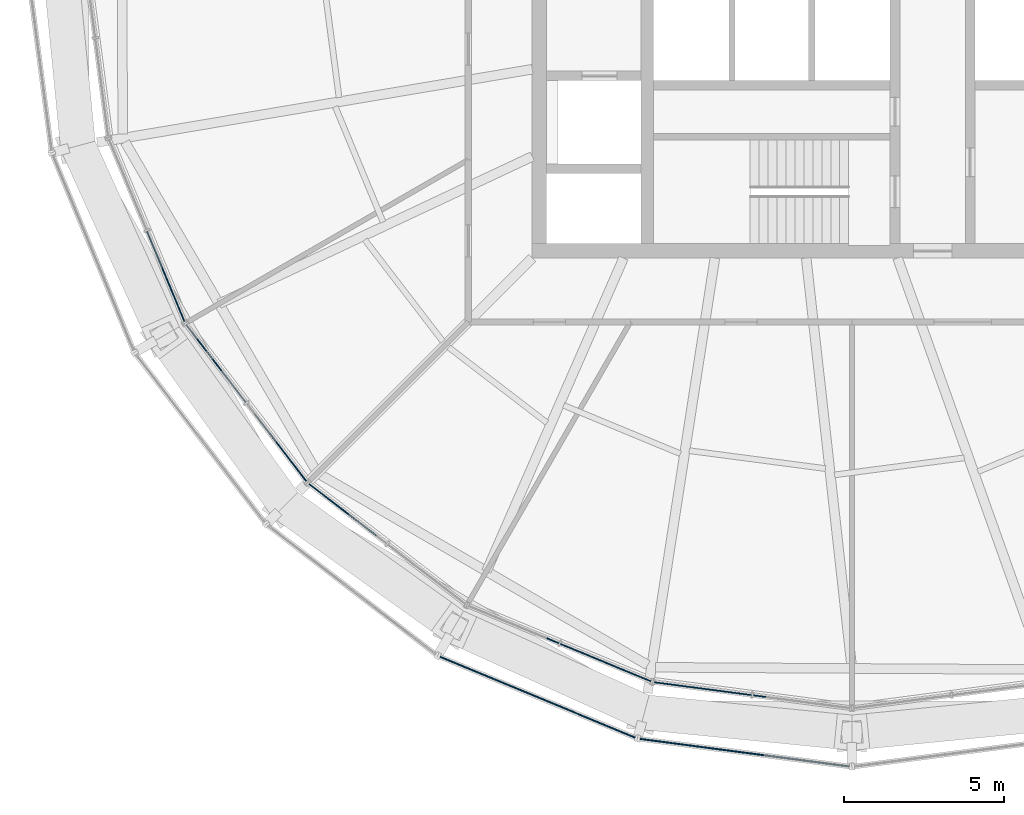
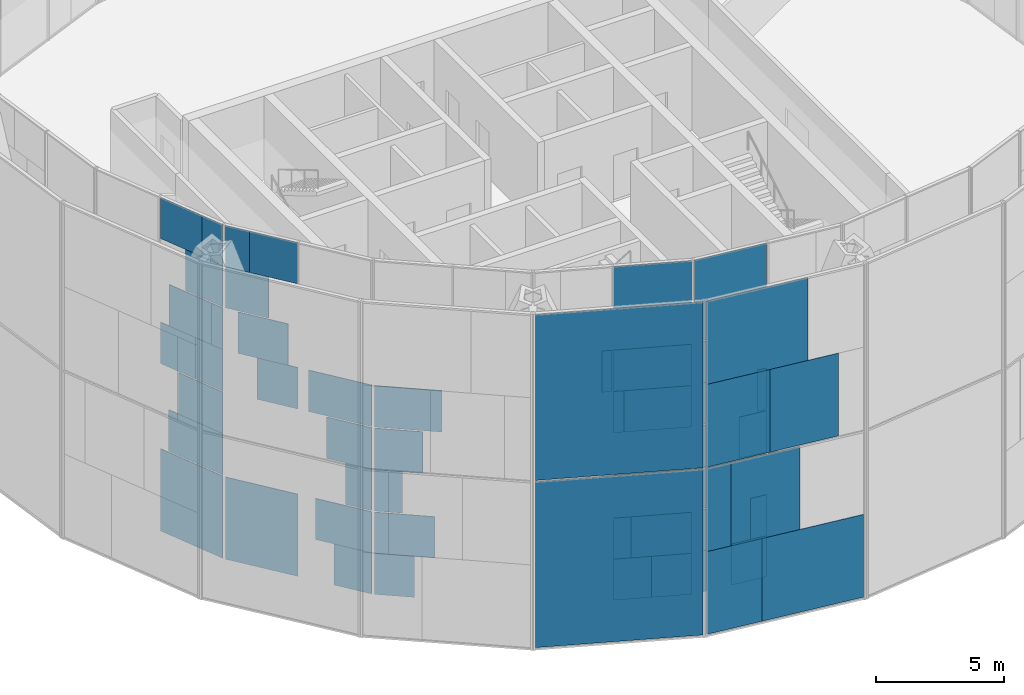
# One storey, part 14 of 30: 62 plates, 7 elements without a shape of their own.
"""IFC4 building model written with IfcOpenShell, lengths in metres."""

from ifc_helpers import new_model, si_unit, direction, frame, origin, origin_2d, place, context, subcontext, project, spatial, rectangle, extrude, material, layer, layer_set, type_object, element, aggregate, save


model = new_model("IFC4")

# Units and contexts
model_context = context("Model", 3, precision=1e-05, world=origin(), true_north=direction((0.0, 1.0)))
body_context = subcontext(model_context, "Body", "Model", "MODEL_VIEW")
ifc_project = project(units=[si_unit("LENGTHUNIT", "METRE"), si_unit("AREAUNIT", "SQUARE_METRE"), si_unit("VOLUMEUNIT", "CUBIC_METRE"), si_unit("PLANEANGLEUNIT", "RADIAN"), si_unit("MASSUNIT", "GRAM", prefix="KILO")], contexts=[model_context])

# Site, building, storey
site_placement = place(None, origin())
site = spatial("IfcSite", under=ifc_project, at=site_placement, CompositionType="ELEMENT")
building_placement = place(site_placement, origin())
building = spatial("IfcBuilding", under=site, at=building_placement, Name="Golbaran Civic Tower", CompositionType="ELEMENT")
storey_placement = place(building_placement, frame((0.0, 0.0, 167.0)))
storey = spatial("IfcBuildingStorey", under=building, at=storey_placement, Name="L40", CompositionType="ELEMENT", Elevation=167.0)

# Curtain wall, plates
ifc_material_1 = material(Name="Aluminium and glass", Category="aluminium")
curtain_wall_type_1 = type_object("IfcCurtainWallType", Name="INNER SKIN CURTAIN WALL EXECUTIVE", PredefinedType="NOTDEFINED", material=ifc_material_1)
curtain_wall_1_placement = place(storey_placement, origin())
curtain_wall_1 = element("IfcCurtainWall", 1, at=curtain_wall_1_placement, inside=storey, type_object=curtain_wall_type_1, Name="Inner skin L40 facet 14 CW2", ObjectType="INNER SKIN", PredefinedType="USERDEFINED")
ifc_material_2 = material(Name="Clear insulating glass", Category="glass")
ifc_layer_1 = layer(ifc_material_2, 0.031982421875, Name="Clear insulating glass")
ifc_layer_set_1 = layer_set([ifc_layer_1], Name="Clear insulating glass")
plate_type_1 = type_object("IfcPlateType", Name="INNER SKIN CURTAIN WALL EXECUTIVE GLAZED PANEL", PredefinedType="CURTAIN_PANEL", material=ifc_layer_set_1)
plate_1_placement = place(storey_placement, frame((-21.463623046875, -10.575439453125, 0.06005859375), z_axis=(0.0, 0.0, 1.0), x_axis=(0.382683432462, -0.923879532471, 0.0)))
plate_1 = element("IfcPlate", 2, at=plate_1_placement, type_object=plate_type_1, Name="CW2 panel 2.1", PredefinedType="CURTAIN_PANEL", context=body_context, shape_type="SweptSolid", body=[
    extrude(rectangle(XDim=3.053466796875, YDim=0.031982421875, at=origin_2d()), origin(), (0.0, 0.0, 1.0), 3.909912109375),
])
plate_2_placement = place(storey_placement, frame((-21.386962890625, -10.7607421875, 4.02978515625), z_axis=(0.0, 0.0, 1.0), x_axis=(0.382683432462, -0.923879532471, 0.0)))
plate_2 = element("IfcPlate", 3, at=plate_2_placement, type_object=plate_type_1, Name="CW2 panel 2.2 part 2", PredefinedType="CURTAIN_PANEL", context=body_context, shape_type="SweptSolid", body=[
    extrude(rectangle(XDim=2.65234375, YDim=0.031982421875, at=origin_2d()), origin(), (0.0, 0.0, 1.0), 1.969970703125),
])
plate_3_placement = place(storey_placement, frame((-21.29443359375, -10.984375, 6.0), z_axis=(0.0, 0.0, 1.0), x_axis=(0.382683432462, -0.923879532471, 0.0)))
plate_3 = element("IfcPlate", 4, at=plate_3_placement, type_object=plate_type_1, Name="CW2 panel 2.2 part 4", PredefinedType="CURTAIN_PANEL", context=body_context, shape_type="SweptSolid", body=[
    extrude(rectangle(XDim=2.16845703125, YDim=0.031982421875, at=origin_2d()), origin(), (0.0, 0.0, 1.0), 1.969970703125),
])
plate_4_placement = place(storey_placement, frame((-21.13623046875, -11.365966796875, 8.02978515625), z_axis=(0.0, 0.0, 1.0), x_axis=(0.382683432462, -0.923879532471, 0.0)))
plate_4 = element("IfcPlate", 5, at=plate_4_placement, type_object=plate_type_1, Name="CW2 panel 2.3 part 2", PredefinedType="CURTAIN_PANEL", context=body_context, shape_type="SweptSolid", body=[
    extrude(rectangle(XDim=1.342529296875, YDim=0.031982421875, at=origin_2d()), origin(), (0.0, 0.0, 1.0), 1.969970703125),
])
plate_5_placement = place(storey_placement, frame((-20.982666015625, -11.73681640625, 10.0), z_axis=(0.0, 0.0, 1.0), x_axis=(0.382683432462, -0.923879532471, 0.0)))
plate_5 = element("IfcPlate", 6, at=plate_5_placement, type_object=plate_type_1, Name="CW2 panel 2.3 part 5", PredefinedType="CURTAIN_PANEL", context=body_context, shape_type="SweptSolid", body=[
    extrude(rectangle(XDim=0.53955078125, YDim=0.031982421875, at=origin_2d()), origin(), (0.0, 0.0, 1.0), 1.969970703125),
])
plate_6_placement = place(storey_placement, frame((-21.659423828125, -10.102783203125, 13.98486328125), z_axis=(0.0, 0.0, 1.0), x_axis=(0.382683432462, -0.923879532471, 0.0)))
plate_6 = element("IfcPlate", 7, at=plate_6_placement, type_object=plate_type_1, Name="CW2 panel 2.4 part 3", PredefinedType="CURTAIN_PANEL", context=body_context, shape_type="SweptSolid", body=[
    extrude(rectangle(XDim=2.030029296875, YDim=0.031982421875, at=origin_2d()), origin(), (0.0, 0.0, 1.0), 1.955078125),
])

curtain_wall_2_placement = place(storey_placement, origin())
curtain_wall_2 = element("IfcCurtainWall", 8, at=curtain_wall_2_placement, inside=storey, type_object=curtain_wall_type_1, Name="Inner skin L40 facet 15 CW2", ObjectType="INNER SKIN", PredefinedType="USERDEFINED")
plate_7_placement = place(storey_placement, frame((-19.890625, -13.30029296875, 0.06005859375), z_axis=(0.0, 0.0, 1.0), x_axis=(0.608761429036, -0.79335334027, 0.0)))
plate_7 = element("IfcPlate", 9, at=plate_7_placement, type_object=plate_type_1, Name="CW2 panel 1.1", PredefinedType="CURTAIN_PANEL", context=body_context, shape_type="SweptSolid", body=[
    extrude(rectangle(XDim=3.053466796875, YDim=0.031982421875, at=origin_2d()), origin(), (0.0, 0.0, 1.0), 3.909912109375),
])
plate_8_placement = place(storey_placement, frame((-19.578857421875, -13.70654296875, 13.98486328125), z_axis=(0.0, 0.0, 1.0), x_axis=(0.608761429036, -0.79335334027, 0.0)))
plate_8 = element("IfcPlate", 10, at=plate_8_placement, type_object=plate_type_1, Name="CW2 panel 1.4 part 4", PredefinedType="CURTAIN_PANEL", context=body_context, shape_type="SweptSolid", body=[
    extrude(rectangle(XDim=2.029541015625, YDim=0.031982421875, at=origin_2d()), origin(), (0.0, 0.0, 1.0), 1.955078125),
])
plate_9_placement = place(storey_placement, frame((-17.3974609375, -16.549560546875, 4.02978515625), z_axis=(0.0, 0.0, 1.0), x_axis=(0.608761429036, -0.79335334027, 0.0)))
plate_9 = element("IfcPlate", 11, at=plate_9_placement, type_object=plate_type_1, Name="CW2 panel 2.2 part 2", PredefinedType="CURTAIN_PANEL", context=body_context, shape_type="SweptSolid", body=[
    extrude(rectangle(XDim=1.08935546875, YDim=0.031982421875, at=origin_2d()), origin(), (0.0, 0.0, 1.0), 1.969970703125),
])
plate_10_placement = place(storey_placement, frame((-17.641845703125, -16.23095703125, 6.0), z_axis=(0.0, 0.0, 1.0), x_axis=(0.608761429036, -0.79335334027, 0.0)))
plate_10 = element("IfcPlate", 12, at=plate_10_placement, type_object=plate_type_1, Name="CW2 panel 2.2 part 4", PredefinedType="CURTAIN_PANEL", context=body_context, shape_type="SweptSolid", body=[
    extrude(rectangle(XDim=1.892578125, YDim=0.031982421875, at=origin_2d()), origin(), (0.0, 0.0, 1.0), 1.969970703125),
])
plate_11_placement = place(storey_placement, frame((-17.873046875, -15.929443359375, 8.02978515625), z_axis=(0.0, 0.0, 1.0), x_axis=(0.608761429036, -0.79335334027, 0.0)))
plate_11 = element("IfcPlate", 13, at=plate_11_placement, type_object=plate_type_1, Name="CW2 panel 2.3 part 2", PredefinedType="CURTAIN_PANEL", context=body_context, shape_type="SweptSolid", body=[
    extrude(rectangle(XDim=2.65234375, YDim=0.031982421875, at=origin_2d()), origin(), (0.0, 0.0, 1.0), 1.969970703125),
])

curtain_wall_3_placement = place(storey_placement, origin())
curtain_wall_3 = element("IfcCurtainWall", 14, at=curtain_wall_3_placement, inside=storey, type_object=curtain_wall_type_1, Name="Inner skin L40 facet 16 CW2", ObjectType="INNER SKIN", PredefinedType="USERDEFINED")
plate_12_placement = place(storey_placement, frame((-16.54931640625, -17.3974609375, 4.02978515625), z_axis=(0.0, 0.0, 1.0), x_axis=(0.79335334027, -0.608761429036, 0.0)))
plate_12 = element("IfcPlate", 15, at=plate_12_placement, type_object=plate_type_1, Name="CW2 panel 1.2 part 1", PredefinedType="CURTAIN_PANEL", context=body_context, shape_type="SweptSolid", body=[
    extrude(rectangle(XDim=1.090087890625, YDim=0.031982421875, at=origin_2d()), origin(), (0.0, 0.0, 1.0), 1.969970703125),
])
plate_13_placement = place(storey_placement, frame((-16.231201171875, -17.6416015625, 6.0), z_axis=(0.0, 0.0, 1.0), x_axis=(0.79335334027, -0.608761429036, 0.0)))
plate_13 = element("IfcPlate", 16, at=plate_13_placement, type_object=plate_type_1, Name="CW2 panel 1.2 part 3", PredefinedType="CURTAIN_PANEL", context=body_context, shape_type="SweptSolid", body=[
    extrude(rectangle(XDim=1.89208984375, YDim=0.031982421875, at=origin_2d()), origin(), (0.0, 0.0, 1.0), 1.969970703125),
])
plate_14_placement = place(storey_placement, frame((-15.9296875, -17.873046875, 8.02978515625), z_axis=(0.0, 0.0, 1.0), x_axis=(0.79335334027, -0.608761429036, 0.0)))
plate_14 = element("IfcPlate", 17, at=plate_14_placement, type_object=plate_type_1, Name="CW2 panel 1.3 part 1", PredefinedType="CURTAIN_PANEL", context=body_context, shape_type="SweptSolid", body=[
    extrude(rectangle(XDim=2.652099609375, YDim=0.031982421875, at=origin_2d()), origin(), (0.0, 0.0, 1.0), 1.969970703125),
])

curtain_wall_4_placement = place(storey_placement, origin())
curtain_wall_4 = element("IfcCurtainWall", 18, at=curtain_wall_4_placement, inside=storey, type_object=curtain_wall_type_1, Name="Inner skin L40 facet 17 CW2", ObjectType="INNER SKIN", PredefinedType="USERDEFINED")
plate_15_placement = place(storey_placement, frame((-9.353271484375, -21.969970703125, 10.0), z_axis=(0.0, 0.0, 1.0), x_axis=(0.923879532471, -0.382683432462, 0.0)))
plate_15 = element("IfcPlate", 19, at=plate_15_placement, type_object=plate_type_1, Name="CW2 panel 1.3 part 5", PredefinedType="CURTAIN_PANEL", context=body_context, shape_type="SweptSolid", body=[
    extrude(rectangle(XDim=0.407470703125, YDim=0.031982421875, at=origin_2d()), origin(), (0.0, 0.0, 1.0), 1.969970703125),
])
plate_16_placement = place(storey_placement, frame((-8.426025390625, -22.35400390625, 0.06005859375), z_axis=(0.0, 0.0, 1.0), x_axis=(0.923879532471, -0.382683432462, 0.0)))
plate_16 = element("IfcPlate", 20, at=plate_16_placement, type_object=plate_type_1, Name="CW2 panel 2.1 part 1", PredefinedType="CURTAIN_PANEL", context=body_context, shape_type="SweptSolid", body=[
    extrude(rectangle(XDim=1.47998046875, YDim=0.031982421875, at=origin_2d()), origin(), (0.0, 0.0, 1.0), 1.955078125),
])
plate_17_placement = place(storey_placement, frame((-8.793701171875, -22.201904296875, 2.014892578125), z_axis=(0.0, 0.0, 1.0), x_axis=(0.923879532471, -0.382683432462, 0.0)))
plate_17 = element("IfcPlate", 21, at=plate_17_placement, type_object=plate_type_1, Name="CW2 panel 2.1 part 3", PredefinedType="CURTAIN_PANEL", context=body_context, shape_type="SweptSolid", body=[
    extrude(rectangle(XDim=0.68408203125, YDim=0.031982421875, at=origin_2d()), origin(), (0.0, 0.0, 1.0), 1.955078125),
])
plate_18_placement = place(storey_placement, frame((-6.791748046875, -23.031005859375, 4.02978515625), z_axis=(0.0, 0.0, 1.0), x_axis=(0.923879532471, -0.382683432462, 0.0)))
plate_18 = element("IfcPlate", 22, at=plate_18_placement, type_object=plate_type_1, Name="CW2 panel 2.2 part 2", PredefinedType="CURTAIN_PANEL", context=body_context, shape_type="SweptSolid", body=[
    extrude(rectangle(XDim=1.08935546875, YDim=0.031982421875, at=origin_2d()), origin(), (0.0, 0.0, 1.0), 1.969970703125),
])
plate_19_placement = place(storey_placement, frame((-7.162841796875, -22.87744140625, 6.0), z_axis=(0.0, 0.0, 1.0), x_axis=(0.923879532471, -0.382683432462, 0.0)))
plate_19 = element("IfcPlate", 23, at=plate_19_placement, type_object=plate_type_1, Name="CW2 panel 2.2 part 4", PredefinedType="CURTAIN_PANEL", context=body_context, shape_type="SweptSolid", body=[
    extrude(rectangle(XDim=1.892578125, YDim=0.031982421875, at=origin_2d()), origin(), (0.0, 0.0, 1.0), 1.969970703125),
])
plate_20_placement = place(storey_placement, frame((-7.513916015625, -22.73193359375, 8.02978515625), z_axis=(0.0, 0.0, 1.0), x_axis=(0.923879532471, -0.382683432462, 0.0)))
plate_20 = element("IfcPlate", 24, at=plate_20_placement, type_object=plate_type_1, Name="CW2 panel 2.3 part 2", PredefinedType="CURTAIN_PANEL", context=body_context, shape_type="SweptSolid", body=[
    extrude(rectangle(XDim=2.65234375, YDim=0.031982421875, at=origin_2d()), origin(), (0.0, 0.0, 1.0), 1.969970703125),
])
plate_21_placement = place(storey_placement, frame((-7.698974609375, -22.6552734375, 10.0), z_axis=(0.0, 0.0, 1.0), x_axis=(0.923879532471, -0.382683432462, 0.0)))
plate_21 = element("IfcPlate", 25, at=plate_21_placement, type_object=plate_type_1, Name="CW2 panel 2.3 part 3", PredefinedType="CURTAIN_PANEL", context=body_context, shape_type="SweptSolid", body=[
    extrude(rectangle(XDim=3.053466796875, YDim=0.031982421875, at=origin_2d()), origin(), (0.0, 0.0, 1.0), 1.969970703125),
])
plate_22_placement = place(storey_placement, frame((-7.698974609375, -22.6552734375, 12.0302734375), z_axis=(0.0, 0.0, 1.0), x_axis=(0.923879532471, -0.382683432462, 0.0)))
plate_22 = element("IfcPlate", 26, at=plate_22_placement, type_object=plate_type_1, Name="CW2 panel 2.4", PredefinedType="CURTAIN_PANEL", context=body_context, shape_type="SweptSolid", body=[
    extrude(rectangle(XDim=3.053466796875, YDim=0.031982421875, at=origin_2d()), origin(), (0.0, 0.0, 1.0), 3.909912109375),
])

curtain_wall_5_placement = place(storey_placement, origin())
curtain_wall_5 = element("IfcCurtainWall", 27, at=curtain_wall_5_placement, inside=storey, type_object=curtain_wall_type_1, Name="Inner skin L40 facet 18 CW2", ObjectType="INNER SKIN", PredefinedType="USERDEFINED")
plate_23_placement = place(storey_placement, frame((-3.879638671875, -23.572265625, 0.06005859375), z_axis=(0.0, 0.0, 1.0), x_axis=(0.991444861383, -0.130526192151, 0.0)))
plate_23 = element("IfcPlate", 28, at=plate_23_placement, type_object=plate_type_1, Name="CW2 panel 1.1 part 2", PredefinedType="CURTAIN_PANEL", context=body_context, shape_type="SweptSolid", body=[
    extrude(rectangle(XDim=1.4794921875, YDim=0.031982421875, at=origin_2d()), origin(), (0.0, 0.0, 1.0), 1.955078125),
])
plate_24_placement = place(storey_placement, frame((-3.485107421875, -23.624267578125, 2.014892578125), z_axis=(0.0, 0.0, 1.0), x_axis=(0.991444861383, -0.130526192151, 0.0)))
plate_24 = element("IfcPlate", 29, at=plate_24_placement, type_object=plate_type_1, Name="CW2 panel 1.1 part 4", PredefinedType="CURTAIN_PANEL", context=body_context, shape_type="SweptSolid", body=[
    extrude(rectangle(XDim=0.683349609375, YDim=0.031982421875, at=origin_2d()), origin(), (0.0, 0.0, 1.0), 1.955078125),
])
plate_25_placement = place(storey_placement, frame((-5.63330078125, -23.34130859375, 4.02978515625), z_axis=(0.0, 0.0, 1.0), x_axis=(0.991444861383, -0.130526192151, 0.0)))
plate_25 = element("IfcPlate", 30, at=plate_25_placement, type_object=plate_type_1, Name="CW2 panel 1.2 part 1", PredefinedType="CURTAIN_PANEL", context=body_context, shape_type="SweptSolid", body=[
    extrude(rectangle(XDim=1.090087890625, YDim=0.031982421875, at=origin_2d()), origin(), (0.0, 0.0, 1.0), 1.969970703125),
])
plate_26_placement = place(storey_placement, frame((-5.23583984375, -23.393798828125, 6.0), z_axis=(0.0, 0.0, 1.0), x_axis=(0.991444861383, -0.130526192151, 0.0)))
plate_26 = element("IfcPlate", 31, at=plate_26_placement, type_object=plate_type_1, Name="CW2 panel 1.2 part 3", PredefinedType="CURTAIN_PANEL", context=body_context, shape_type="SweptSolid", body=[
    extrude(rectangle(XDim=1.89208984375, YDim=0.031982421875, at=origin_2d()), origin(), (0.0, 0.0, 1.0), 1.969970703125),
])
plate_27_placement = place(storey_placement, frame((-4.85888671875, -23.443359375, 8.02978515625), z_axis=(0.0, 0.0, 1.0), x_axis=(0.991444861383, -0.130526192151, 0.0)))
plate_27 = element("IfcPlate", 32, at=plate_27_placement, type_object=plate_type_1, Name="CW2 panel 1.3 part 1", PredefinedType="CURTAIN_PANEL", context=body_context, shape_type="SweptSolid", body=[
    extrude(rectangle(XDim=2.652099609375, YDim=0.031982421875, at=origin_2d()), origin(), (0.0, 0.0, 1.0), 1.969970703125),
])
plate_28_placement = place(storey_placement, frame((-4.659912109375, -23.469482421875, 10.0), z_axis=(0.0, 0.0, 1.0), x_axis=(0.991444861383, -0.130526192151, 0.0)))
plate_28 = element("IfcPlate", 33, at=plate_28_placement, type_object=plate_type_1, Name="CW2 panel 1.3 part 3", PredefinedType="CURTAIN_PANEL", context=body_context, shape_type="SweptSolid", body=[
    extrude(rectangle(XDim=3.053466796875, YDim=0.031982421875, at=origin_2d()), origin(), (0.0, 0.0, 1.0), 1.969970703125),
])
plate_29_placement = place(storey_placement, frame((-4.659912109375, -23.469482421875, 12.0302734375), z_axis=(0.0, 0.0, 1.0), x_axis=(0.991444861383, -0.130526192151, 0.0)))
plate_29 = element("IfcPlate", 34, at=plate_29_placement, type_object=plate_type_1, Name="CW2 panel 1.4", PredefinedType="CURTAIN_PANEL", context=body_context, shape_type="SweptSolid", body=[
    extrude(rectangle(XDim=3.053466796875, YDim=0.031982421875, at=origin_2d()), origin(), (0.0, 0.0, 1.0), 3.909912109375),
])

# Plate
ifc_material_3 = material(Name="Aluminium faced opaque infill panel", Category="aluminium")
ifc_layer_2 = layer(ifc_material_3, 0.031982421875, Name="Aluminium faced opaque infill panel")
ifc_layer_set_2 = layer_set([ifc_layer_2], Name="Aluminium faced opaque infill panel")
plate_type_2 = type_object("IfcPlateType", Name="INNER SKIN CURTAIN WALL EXECUTIVE OPAQUE INFILL PANEL", PredefinedType="CURTAIN_PANEL", material=ifc_layer_set_2)
plate_30_placement = place(storey_placement, frame((-21.720458984375, -9.955322265625, 8.02978515625), z_axis=(0.0, 0.0, 1.0), x_axis=(0.382683432462, -0.923879532471, 0.0)))
plate_30 = element("IfcPlate", 35, at=plate_30_placement, type_object=plate_type_2, Name="CW2 infill panel 2.3 part 1", PredefinedType="CURTAIN_PANEL", context=body_context, shape_type="SweptSolid", body=[
    extrude(rectangle(XDim=1.7109375, YDim=0.031982421875, at=origin_2d()), origin(), (0.0, 0.0, 1.0), 1.969970703125),
])

plate_31_placement = place(storey_placement, frame((-21.489013671875, -10.514404296875, 10.0), z_axis=(0.0, 0.0, 1.0), x_axis=(0.382683432462, -0.923879532471, 0.0)))
plate_31 = element("IfcPlate", 36, at=plate_31_placement, type_object=plate_type_2, Name="CW2 infill panel 2.3 part 4", PredefinedType="CURTAIN_PANEL", context=body_context, shape_type="SweptSolid", body=[
    extrude(rectangle(XDim=2.10693359375, YDim=0.031982421875, at=origin_2d()), origin(), (0.0, 0.0, 1.0), 1.969970703125),
])

plate_32_placement = place(storey_placement, frame((-21.2275390625, -11.1455078125, 12.030029296875), z_axis=(0.0, 0.0, 1.0), x_axis=(0.382683432462, -0.923879532471, 0.0)))
plate_32 = element("IfcPlate", 37, at=plate_32_placement, type_object=plate_type_2, Name="CW2 infill panel 2.4 part 2", PredefinedType="CURTAIN_PANEL", context=body_context, shape_type="SweptSolid", body=[
    extrude(rectangle(XDim=1.819580078125, YDim=0.031982421875, at=origin_2d()), origin(), (0.0, 0.0, 1.0), 1.955078125),
])

plate_33_placement = place(storey_placement, frame((-21.0751953125, -11.51318359375, 13.98486328125), z_axis=(0.0, 0.0, 1.0), x_axis=(0.382683432462, -0.923879532471, 0.0)))
plate_33 = element("IfcPlate", 38, at=plate_33_placement, type_object=plate_type_2, Name="CW2 infill panel 2.4 part 4", PredefinedType="CURTAIN_PANEL", context=body_context, shape_type="SweptSolid", body=[
    extrude(rectangle(XDim=1.0234375, YDim=0.031982421875, at=origin_2d()), origin(), (0.0, 0.0, 1.0), 1.955078125),
])

aggregate(curtain_wall_1, [plate_1, plate_2, plate_3, plate_30, plate_4, plate_31, plate_5, plate_32, plate_6, plate_33])

plate_34_placement = place(storey_placement, frame((-19.482177734375, -13.832763671875, 8.02978515625), z_axis=(0.0, 0.0, 1.0), x_axis=(0.608761429036, -0.79335334027, 0.0)))
plate_34 = element("IfcPlate", 39, at=plate_34_placement, type_object=plate_type_2, Name="CW2 infill panel 1.3 part 2", PredefinedType="CURTAIN_PANEL", context=body_context, shape_type="SweptSolid", body=[
    extrude(rectangle(XDim=1.71142578125, YDim=0.031982421875, at=origin_2d()), origin(), (0.0, 0.0, 1.0), 1.969970703125),
])

plate_35_placement = place(storey_placement, frame((-19.85009765625, -13.35302734375, 10.0), z_axis=(0.0, 0.0, 1.0), x_axis=(0.608761429036, -0.79335334027, 0.0)))
plate_35 = element("IfcPlate", 40, at=plate_35_placement, type_object=plate_type_2, Name="CW2 infill panel 1.3 part 4", PredefinedType="CURTAIN_PANEL", context=body_context, shape_type="SweptSolid", body=[
    extrude(rectangle(XDim=2.10595703125, YDim=0.031982421875, at=origin_2d()), origin(), (0.0, 0.0, 1.0), 1.969970703125),
])

plate_36_placement = place(storey_placement, frame((-20.26611328125, -12.81103515625, 12.030029296875), z_axis=(0.0, 0.0, 1.0), x_axis=(0.608761429036, -0.79335334027, 0.0)))
plate_36 = element("IfcPlate", 41, at=plate_36_placement, type_object=plate_type_2, Name="CW2 infill panel 1.4 part 1", PredefinedType="CURTAIN_PANEL", context=body_context, shape_type="SweptSolid", body=[
    extrude(rectangle(XDim=1.820068359375, YDim=0.031982421875, at=origin_2d()), origin(), (0.0, 0.0, 1.0), 1.955078125),
])

plate_37_placement = place(storey_placement, frame((-20.50830078125, -12.495361328125, 13.98486328125), z_axis=(0.0, 0.0, 1.0), x_axis=(0.608761429036, -0.79335334027, 0.0)))
plate_37 = element("IfcPlate", 42, at=plate_37_placement, type_object=plate_type_2, Name="CW2 infill panel 1.4 part 3", PredefinedType="CURTAIN_PANEL", context=body_context, shape_type="SweptSolid", body=[
    extrude(rectangle(XDim=1.02392578125, YDim=0.031982421875, at=origin_2d()), origin(), (0.0, 0.0, 1.0), 1.955078125),
])

plate_38_placement = place(storey_placement, frame((-17.544677734375, -16.357421875, 0.06005859375), z_axis=(0.0, 0.0, 1.0), x_axis=(0.608761429036, -0.79335334027, 0.0)))
plate_38 = element("IfcPlate", 43, at=plate_38_placement, type_object=plate_type_2, Name="CW2 infill panel 2.1 part 2", PredefinedType="CURTAIN_PANEL", context=body_context, shape_type="SweptSolid", body=[
    extrude(rectangle(XDim=1.573486328125, YDim=0.031982421875, at=origin_2d()), origin(), (0.0, 0.0, 1.0), 1.955078125),
])

plate_39_placement = place(storey_placement, frame((-17.787109375, -16.041748046875, 2.014892578125), z_axis=(0.0, 0.0, 1.0), x_axis=(0.608761429036, -0.79335334027, 0.0)))
plate_39 = element("IfcPlate", 44, at=plate_39_placement, type_object=plate_type_2, Name="CW2 infill panel 2.1 part 4", PredefinedType="CURTAIN_PANEL", context=body_context, shape_type="SweptSolid", body=[
    extrude(rectangle(XDim=2.369384765625, YDim=0.031982421875, at=origin_2d()), origin(), (0.0, 0.0, 1.0), 1.955078125),
])

aggregate(curtain_wall_2, [plate_7, plate_34, plate_35, plate_36, plate_37, plate_8, plate_38, plate_39, plate_9, plate_10, plate_11])

plate_40_placement = place(storey_placement, frame((-16.357177734375, -17.544921875, 0.06005859375), z_axis=(0.0, 0.0, 1.0), x_axis=(0.79335334027, -0.608761429036, 0.0)))
plate_40 = element("IfcPlate", 45, at=plate_40_placement, type_object=plate_type_2, Name="CW2 infill panel 1.1 part 1", PredefinedType="CURTAIN_PANEL", context=body_context, shape_type="SweptSolid", body=[
    extrude(rectangle(XDim=1.573974609375, YDim=0.031982421875, at=origin_2d()), origin(), (0.0, 0.0, 1.0), 1.955078125),
])

plate_41_placement = place(storey_placement, frame((-16.04150390625, -17.787109375, 2.014892578125), z_axis=(0.0, 0.0, 1.0), x_axis=(0.79335334027, -0.608761429036, 0.0)))
plate_41 = element("IfcPlate", 46, at=plate_41_placement, type_object=plate_type_2, Name="CW2 infill panel 1.1 part 3", PredefinedType="CURTAIN_PANEL", context=body_context, shape_type="SweptSolid", body=[
    extrude(rectangle(XDim=2.3701171875, YDim=0.031982421875, at=origin_2d()), origin(), (0.0, 0.0, 1.0), 1.955078125),
])

aggregate(curtain_wall_3, [plate_40, plate_41, plate_12, plate_13, plate_14])

plate_42_placement = place(storey_placement, frame((-9.3505859375, -21.97119140625, 4.02978515625), z_axis=(0.0, 0.0, 1.0), x_axis=(0.923879532471, -0.382683432462, 0.0)))
plate_42 = element("IfcPlate", 47, at=plate_42_placement, type_object=plate_type_2, Name="CW2 infill panel 1.2 part 2", PredefinedType="CURTAIN_PANEL", context=body_context, shape_type="SweptSolid", body=[
    extrude(rectangle(XDim=0.4013671875, YDim=0.031982421875, at=origin_2d()), origin(), (0.0, 0.0, 1.0), 1.969970703125),
])

plate_43_placement = place(storey_placement, frame((-7.015380859375, -22.9384765625, 0.06005859375), z_axis=(0.0, 0.0, 1.0), x_axis=(0.923879532471, -0.382683432462, 0.0)))
plate_43 = element("IfcPlate", 48, at=plate_43_placement, type_object=plate_type_2, Name="CW2 infill panel 2.1 part 2", PredefinedType="CURTAIN_PANEL", context=body_context, shape_type="SweptSolid", body=[
    extrude(rectangle(XDim=1.573486328125, YDim=0.031982421875, at=origin_2d()), origin(), (0.0, 0.0, 1.0), 1.955078125),
])

plate_44_placement = place(storey_placement, frame((-7.383056640625, -22.7861328125, 2.014892578125), z_axis=(0.0, 0.0, 1.0), x_axis=(0.923879532471, -0.382683432462, 0.0)))
plate_44 = element("IfcPlate", 49, at=plate_44_placement, type_object=plate_type_2, Name="CW2 infill panel 2.1 part 4", PredefinedType="CURTAIN_PANEL", context=body_context, shape_type="SweptSolid", body=[
    extrude(rectangle(XDim=2.369384765625, YDim=0.031982421875, at=origin_2d()), origin(), (0.0, 0.0, 1.0), 1.955078125),
])

plate_45_placement = place(storey_placement, frame((-8.202392578125, -22.44677734375, 4.02978515625), z_axis=(0.0, 0.0, 1.0), x_axis=(0.923879532471, -0.382683432462, 0.0)))
plate_45 = element("IfcPlate", 50, at=plate_45_placement, type_object=plate_type_2, Name="CW2 infill panel 2.2 part 1", PredefinedType="CURTAIN_PANEL", context=body_context, shape_type="SweptSolid", body=[
    extrude(rectangle(XDim=1.964111328125, YDim=0.031982421875, at=origin_2d()), origin(), (0.0, 0.0, 1.0), 1.969970703125),
])

plate_46_placement = place(storey_placement, frame((-8.5732421875, -22.29296875, 6.0), z_axis=(0.0, 0.0, 1.0), x_axis=(0.923879532471, -0.382683432462, 0.0)))
plate_46 = element("IfcPlate", 51, at=plate_46_placement, type_object=plate_type_2, Name="CW2 infill panel 2.2 part 3", PredefinedType="CURTAIN_PANEL", context=body_context, shape_type="SweptSolid", body=[
    extrude(rectangle(XDim=1.160888671875, YDim=0.031982421875, at=origin_2d()), origin(), (0.0, 0.0, 1.0), 1.969970703125),
])

plate_47_placement = place(storey_placement, frame((-8.92431640625, -22.147705078125, 8.02978515625), z_axis=(0.0, 0.0, 1.0), x_axis=(0.923879532471, -0.382683432462, 0.0)))
plate_47 = element("IfcPlate", 52, at=plate_47_placement, type_object=plate_type_2, Name="CW2 infill panel 2.3 part 1", PredefinedType="CURTAIN_PANEL", context=body_context, shape_type="SweptSolid", body=[
    extrude(rectangle(XDim=0.40087890625, YDim=0.031982421875, at=origin_2d()), origin(), (0.0, 0.0, 1.0), 1.969970703125),
])

aggregate(curtain_wall_4, [plate_42, plate_15, plate_16, plate_43, plate_17, plate_44, plate_45, plate_18, plate_46, plate_19, plate_47, plate_20, plate_21, plate_22])

plate_48_placement = place(storey_placement, frame((-5.393310546875, -23.373046875, 0.06005859375), z_axis=(0.0, 0.0, 1.0), x_axis=(0.991444861383, -0.130526192151, 0.0)))
plate_48 = element("IfcPlate", 53, at=plate_48_placement, type_object=plate_type_2, Name="CW2 infill panel 1.1 part 1", PredefinedType="CURTAIN_PANEL", context=body_context, shape_type="SweptSolid", body=[
    extrude(rectangle(XDim=1.573974609375, YDim=0.031982421875, at=origin_2d()), origin(), (0.0, 0.0, 1.0), 1.955078125),
])

plate_49_placement = place(storey_placement, frame((-4.998779296875, -23.4248046875, 2.014892578125), z_axis=(0.0, 0.0, 1.0), x_axis=(0.991444861383, -0.130526192151, 0.0)))
plate_49 = element("IfcPlate", 54, at=plate_49_placement, type_object=plate_type_2, Name="CW2 infill panel 1.1 part 3", PredefinedType="CURTAIN_PANEL", context=body_context, shape_type="SweptSolid", body=[
    extrude(rectangle(XDim=2.3701171875, YDim=0.031982421875, at=origin_2d()), origin(), (0.0, 0.0, 1.0), 1.955078125),
])

plate_50_placement = place(storey_placement, frame((-4.11962890625, -23.54052734375, 4.02978515625), z_axis=(0.0, 0.0, 1.0), x_axis=(0.991444861383, -0.130526192151, 0.0)))
plate_50 = element("IfcPlate", 55, at=plate_50_placement, type_object=plate_type_2, Name="CW2 infill panel 1.2 part 2", PredefinedType="CURTAIN_PANEL", context=body_context, shape_type="SweptSolid", body=[
    extrude(rectangle(XDim=1.96337890625, YDim=0.031982421875, at=origin_2d()), origin(), (0.0, 0.0, 1.0), 1.969970703125),
])

plate_51_placement = place(storey_placement, frame((-3.72216796875, -23.593017578125, 6.0), z_axis=(0.0, 0.0, 1.0), x_axis=(0.991444861383, -0.130526192151, 0.0)))
plate_51 = element("IfcPlate", 56, at=plate_51_placement, type_object=plate_type_2, Name="CW2 infill panel 1.2 part 4", PredefinedType="CURTAIN_PANEL", context=body_context, shape_type="SweptSolid", body=[
    extrude(rectangle(XDim=1.161376953125, YDim=0.031982421875, at=origin_2d()), origin(), (0.0, 0.0, 1.0), 1.969970703125),
])

plate_52_placement = place(storey_placement, frame((-3.34521484375, -23.642578125, 8.02978515625), z_axis=(0.0, 0.0, 1.0), x_axis=(0.991444861383, -0.130526192151, 0.0)))
plate_52 = element("IfcPlate", 57, at=plate_52_placement, type_object=plate_type_2, Name="CW2 infill panel 1.3 part 2", PredefinedType="CURTAIN_PANEL", context=body_context, shape_type="SweptSolid", body=[
    extrude(rectangle(XDim=0.4013671875, YDim=0.031982421875, at=origin_2d()), origin(), (0.0, 0.0, 1.0), 1.969970703125),
])

plate_53_placement = place(storey_placement, frame((-2.887939453125, -23.702880859375, 4.02978515625), z_axis=(0.0, 0.0, 1.0), x_axis=(0.991444861383, -0.130526192151, 0.0)))
plate_53 = element("IfcPlate", 58, at=plate_53_placement, type_object=plate_type_2, Name="CW2 infill panel 2.2 part 1", PredefinedType="CURTAIN_PANEL", context=body_context, shape_type="SweptSolid", body=[
    extrude(rectangle(XDim=0.40087890625, YDim=0.031982421875, at=origin_2d()), origin(), (0.0, 0.0, 1.0), 1.969970703125),
])

aggregate(curtain_wall_5, [plate_48, plate_23, plate_49, plate_24, plate_25, plate_50, plate_26, plate_51, plate_27, plate_52, plate_28, plate_29, plate_53])

# Curtain wall, plates
curtain_wall_type_2 = type_object("IfcCurtainWallType", Name="OUTER SKIN TERRACOTTA SCREEN", PredefinedType="NOTDEFINED", material=ifc_material_1)
curtain_wall_6_placement = place(storey_placement, origin())
curtain_wall_6 = element("IfcCurtainWall", 59, at=curtain_wall_6_placement, inside=storey, type_object=curtain_wall_type_2, Name="Outer skin L40 facet 18 CW3", ObjectType="OUTER SKIN", PredefinedType="USERDEFINED")
ifc_material_4 = material(Name="Clear laminated glass", Category="glass")
ifc_layer_3 = layer(ifc_material_4, 0.0400390625, Name="Clear laminated glass")
ifc_layer_set_3 = layer_set([ifc_layer_3], Name="Clear laminated glass")
plate_type_3 = type_object("IfcPlateType", Name="OUTER SKIN CLEAR GLASS PANEL", PredefinedType="CURTAIN_PANEL", material=ifc_layer_set_3)
plate_54_placement = place(storey_placement, frame((-2.203369140625, -25.623046875, -0.6298828125), z_axis=(0.0, 0.0, 1.0), x_axis=(0.991444861381, -0.130526192168, 0.0)))
plate_54 = element("IfcPlate", 60, at=plate_54_placement, type_object=plate_type_3, Name="CW3 panel 1.1 part 2", PredefinedType="CURTAIN_PANEL", context=body_context, shape_type="SweptSolid", body=[
    extrude(rectangle(XDim=4.28466796875, YDim=0.0400390625, at=origin_2d()), origin(), (0.0, 0.0, 1.0), 3.93994140625),
])
plate_55_placement = place(storey_placement, frame((-6.123779296875, -25.106689453125, 3.31005859375), z_axis=(0.0, 0.0, 1.0), x_axis=(0.991444861381, -0.130526192168, 0.0)))
plate_55 = element("IfcPlate", 61, at=plate_55_placement, type_object=plate_type_3, Name="CW3 panel 1.1 part 3", PredefinedType="CURTAIN_PANEL", context=body_context, shape_type="SweptSolid", body=[
    extrude(rectangle(XDim=1.01611328125, YDim=0.0400390625, at=origin_2d()), origin(), (0.0, 0.0, 1.0), 3.93994140625),
])
plate_56_placement = place(storey_placement, frame((-5.312744140625, -25.213623046875, 7.330078125), z_axis=(0.0, 0.0, 1.0), x_axis=(0.991444861381, -0.130526192168, 0.0)))
plate_56 = element("IfcPlate", 62, at=plate_56_placement, type_object=plate_type_3, Name="CW3 panel 1.2 part 1", PredefinedType="CURTAIN_PANEL", context=body_context, shape_type="SweptSolid", body=[
    extrude(rectangle(XDim=2.652099609375, YDim=0.0400390625, at=origin_2d()), origin(), (0.0, 0.0, 1.0), 3.93994140625),
])
plate_57_placement = place(storey_placement, frame((-4.5166015625, -25.318359375, 11.27001953125), z_axis=(0.0, 0.0, 1.0), x_axis=(0.991444861381, -0.130526192168, 0.0)))
plate_57 = element("IfcPlate", 63, at=plate_57_placement, type_object=plate_type_3, Name="CW3 panel 1.2 part 4", PredefinedType="CURTAIN_PANEL", context=body_context, shape_type="SweptSolid", body=[
    extrude(rectangle(XDim=4.258056640625, YDim=0.0400390625, at=origin_2d()), origin(), (0.0, 0.0, 1.0), 3.93994140625),
])
ifc_material_5 = material(Name="Terracotta baguette screen", Category="masonry")
ifc_layer_4 = layer(ifc_material_5, 0.0400390625, Name="Terracotta baguette screen")
ifc_layer_set_4 = layer_set([ifc_layer_4], Name="Terracotta baguette screen")
plate_type_4 = type_object("IfcPlateType", Name="OUTER SKIN TERRACOTTA INFILL PANEL", PredefinedType="CURTAIN_PANEL", material=ifc_layer_set_4)
plate_58_placement = place(storey_placement, frame((-5.477294921875, -25.19189453125, -0.6298828125), z_axis=(0.0, 0.0, 1.0), x_axis=(0.991444861381, -0.130526192168, 0.0)))
plate_58 = element("IfcPlate", 64, at=plate_58_placement, type_object=plate_type_4, Name="CW3 infill panel 1.1 part 1", PredefinedType="CURTAIN_PANEL", context=body_context, shape_type="SweptSolid", body=[
    extrude(rectangle(XDim=2.320068359375, YDim=0.0400390625, at=origin_2d()), origin(), (0.0, 0.0, 1.0), 3.93994140625),
])
plate_59_placement = place(storey_placement, frame((-4.1787109375, -25.36279296875, 3.31005859375), z_axis=(0.0, 0.0, 1.0), x_axis=(0.991444861381, -0.130526192168, 0.0)))
plate_59 = element("IfcPlate", 65, at=plate_59_placement, type_object=plate_type_4, Name="CW3 infill panel 1.1 part 4", PredefinedType="CURTAIN_PANEL", context=body_context, shape_type="SweptSolid", body=[
    extrude(rectangle(XDim=2.907958984375, YDim=0.0400390625, at=origin_2d()), origin(), (0.0, 0.0, 1.0), 3.93994140625),
])
plate_60_placement = place(storey_placement, frame((-2.55615234375, -25.576416015625, 7.330078125), z_axis=(0.0, 0.0, 1.0), x_axis=(0.991444861381, -0.130526192168, 0.0)))
plate_60 = element("IfcPlate", 66, at=plate_60_placement, type_object=plate_type_4, Name="CW3 infill panel 1.2 part 2", PredefinedType="CURTAIN_PANEL", context=body_context, shape_type="SweptSolid", body=[
    extrude(rectangle(XDim=2.908935546875, YDim=0.0400390625, at=origin_2d()), origin(), (0.0, 0.0, 1.0), 3.93994140625),
])
aggregate(curtain_wall_6, [plate_58, plate_54, plate_55, plate_59, plate_56, plate_60, plate_57])

curtain_wall_7_placement = place(storey_placement, origin())
curtain_wall_7 = element("IfcCurtainWall", 67, at=curtain_wall_7_placement, inside=storey, type_object=curtain_wall_type_2, Name="Outer skin L40 facet 17 CW3", ObjectType="OUTER SKIN", PredefinedType="USERDEFINED")
ifc_layer_5 = layer(ifc_material_5, 0.0400390625, Name="Terracotta baguette screen")
ifc_layer_set_5 = layer_set([ifc_layer_5], Name="Terracotta baguette screen")
plate_type_5 = type_object("IfcPlateType", Name="OUTER SKIN TERRACOTTA SCREEN PANEL", PredefinedType="CURTAIN_PANEL", material=ifc_layer_set_5)
plate_61_placement = place(storey_placement, frame((-9.83154296875, -23.735595703125, -0.6298828125), z_axis=(0.0, 0.0, 1.0), x_axis=(0.923879532471, -0.382683432462, 0.0)))
plate_61 = element("IfcPlate", 68, at=plate_61_placement, type_object=plate_type_5, Name="CW3 terracotta screen panel 1.1", PredefinedType="CURTAIN_PANEL", context=body_context, shape_type="SweptSolid", body=[
    extrude(rectangle(XDim=6.604736328125, YDim=0.0400390625, at=origin_2d()), origin(), (0.0, 0.0, 1.0), 7.8798828125),
])
plate_62_placement = place(storey_placement, frame((-9.83154296875, -23.735595703125, 7.330078125), z_axis=(0.0, 0.0, 1.0), x_axis=(0.923879532471, -0.382683432462, 0.0)))
plate_62 = element("IfcPlate", 69, at=plate_62_placement, type_object=plate_type_5, Name="CW3 terracotta screen panel 1.2", PredefinedType="CURTAIN_PANEL", context=body_context, shape_type="SweptSolid", body=[
    extrude(rectangle(XDim=6.604736328125, YDim=0.0400390625, at=origin_2d()), origin(), (0.0, 0.0, 1.0), 7.8798828125),
])
aggregate(curtain_wall_7, [plate_61, plate_62])

save(model, "model.ifc")
